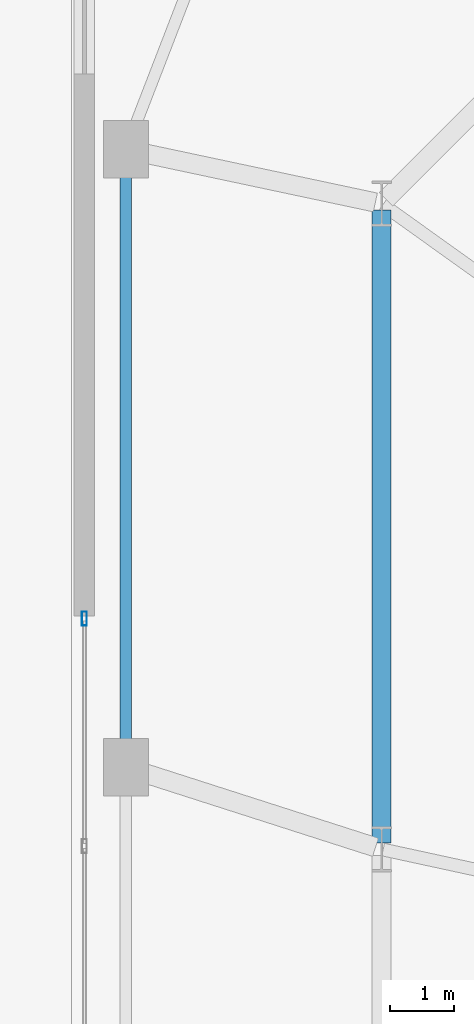
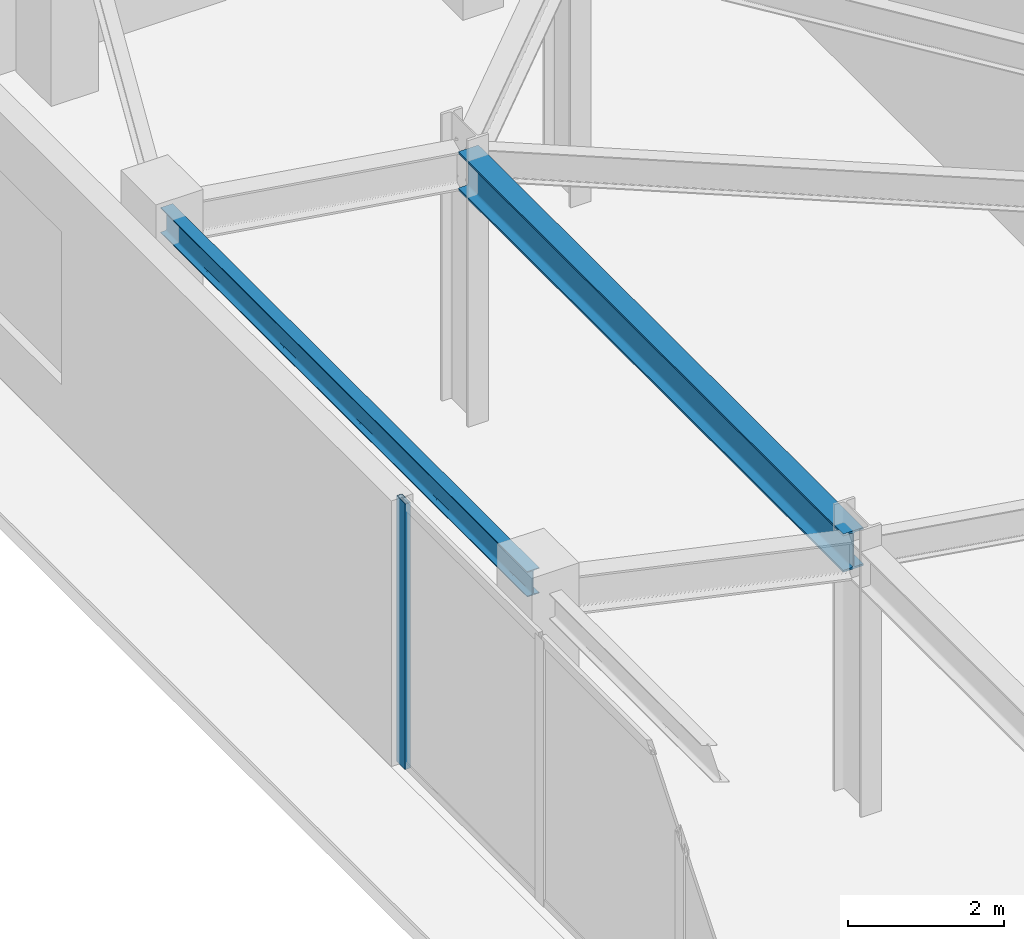
# One storey, part 8 of 21: 2 beams, 1 member, 1 element without a shape of its own.
"""IFC4 building model written with IfcOpenShell, lengths in metres."""

from ifc_helpers import new_model, si_unit, direction, frame, origin, origin_2d, place, context, subcontext, project, spatial, hollow_rectangle, i_section, extrude, material, layer, layer_set, material_profile, profile_set, type_object, element, aggregate, save


model = new_model("IFC4")

# Units and contexts
model_context = context("Model", 3, precision=1e-05, world=origin(), true_north=direction((0.0, 1.0)))
body_context = subcontext(model_context, "Body", "Model", "MODEL_VIEW")
ifc_project = project(units=[si_unit("LENGTHUNIT", "METRE"), si_unit("AREAUNIT", "SQUARE_METRE"), si_unit("VOLUMEUNIT", "CUBIC_METRE"), si_unit("PLANEANGLEUNIT", "RADIAN"), si_unit("MASSUNIT", "GRAM", prefix="KILO")], contexts=[model_context])

# Site, building, storey
site_placement = place(None, origin())
site = spatial("IfcSite", under=ifc_project, at=site_placement, CompositionType="ELEMENT")
building_placement = place(site_placement, origin())
building = spatial("IfcBuilding", under=site, at=building_placement, Name="Qobustan Lattice House", CompositionType="ELEMENT")
storey_placement = place(building_placement, frame((0.0, 0.0, 13.5)))
storey = spatial("IfcBuildingStorey", under=building, at=storey_placement, Name="L03", CompositionType="ELEMENT", Elevation=13.5)

# Beams
ifc_material_1 = material(Name="Steel S355", Category="steel")
ifc_material_profile_1 = material_profile(ifc_material_1, i_section(OverallWidth=0.300048828125, OverallDepth=0.60009765625, WebThickness=0.015380859375, FlangeThickness=0.030029296875, FilletRadius=0.027099609375, at=origin_2d()), Name="HEB600")
ifc_profile_set_1 = profile_set([ifc_material_profile_1], Name="Steel S355")
beam_type_1 = type_object("IfcBeamType", Name="BM-POD-HEB600", PredefinedType="USERDEFINED", material=ifc_profile_set_1)
beam_1_placement = place(storey_placement, frame((-32.14990234375, 15.050048828125, 3.8701171875), z_axis=(0.0, -1.0, 0.0), x_axis=(1.0, 0.0, 0.0)))
element("IfcBeam", 1, at=beam_1_placement, inside=storey, type_object=beam_type_1, Name="L03 tower base ring girder W1-W2", ObjectType="GIRDER", PredefinedType="USERDEFINED", context=body_context, shape_type="SweptSolid", body=[
    extrude(i_section(OverallWidth=0.300048828125, OverallDepth=0.60009765625, WebThickness=0.015380859375, FlangeThickness=0.030029296875, FilletRadius=0.027099609375, at=origin_2d()), origin(), (0.0, 0.0, 1.0), 9.900146484375),
])
ifc_material_2 = material(Name="Steel S355", Category="steel")
ifc_material_profile_2 = material_profile(ifc_material_2, i_section(OverallWidth=0.179931640625, OverallDepth=0.39990234375, WebThickness=0.008544921875, FlangeThickness=0.013427734375, FilletRadius=0.02099609375, at=origin_2d()), Name="IPE400")
ifc_profile_set_2 = profile_set([ifc_material_profile_2], Name="Steel S355")
beam_type_2 = type_object("IfcBeamType", Name="BM-SPD-IPE400", PredefinedType="SPANDREL", material=ifc_profile_set_2)
beam_2_placement = place(storey_placement, frame((-36.14990234375, 6.453369140625, 3.969970703125), z_axis=(0.0, 1.0, 0.0), x_axis=(-1.0, 0.0, 0.0)))
element("IfcBeam", 2, at=beam_2_placement, inside=storey, type_object=beam_type_2, Name="L03 podium spandrel PW3-PW4", PredefinedType="SPANDREL", context=body_context, shape_type="SweptSolid", body=[
    extrude(i_section(OverallWidth=0.179931640625, OverallDepth=0.39990234375, WebThickness=0.008544921875, FlangeThickness=0.013427734375, FilletRadius=0.02099609375, at=origin_2d()), origin(), (0.0, 0.0, 1.0), 9.4267578125),
])

# Curtain wall, member
ifc_material_3 = material(Name="Anodised aluminium and low-E glazing", Category="aluminium")
ifc_layer = layer(ifc_material_3, 0.219970703125)
ifc_layer_set = layer_set([ifc_layer], Name="Anodised aluminium and low-E glazing")
curtain_wall_type = type_object("IfcCurtainWallType", Name="CW-POD-01", PredefinedType="USERDEFINED", material=ifc_layer_set)
curtain_wall_placement = place(storey_placement, origin())
curtain_wall = element("IfcCurtainWall", 3, at=curtain_wall_placement, inside=storey, type_object=curtain_wall_type, Name="L03 W podium colonnade curtain wall", ObjectType="CURTAIN WALL", PredefinedType="USERDEFINED")
ifc_material_4 = material(Name="Anodised aluminium EN AW-6063 T6", Category="aluminium")
ifc_material_profile_3 = material_profile(ifc_material_4, hollow_rectangle(XDim=0.080078125, YDim=0.219970703125, WallThickness=0.0048828125, at=origin_2d()), Name="CWM-220x80")
ifc_profile_set_3 = profile_set([ifc_material_profile_3], Name="Anodised aluminium EN AW-6063 T6")
member_type = type_object("IfcMemberType", Name="CWM-MAIN-220", PredefinedType="MULLION", material=ifc_profile_set_3)
member_placement = place(storey_placement, frame((-36.800048828125, 8.659912109375, 0.0), z_axis=(0.0, 0.0, 1.0), x_axis=(-1.0, 0.0, 0.0)))
member = element("IfcMember", 4, at=member_placement, type_object=member_type, Name="CW-P1 mullion 5", PredefinedType="MULLION", context=body_context, shape_type="SweptSolid", body=[
    extrude(hollow_rectangle(XDim=0.080078125, YDim=0.219970703125, WallThickness=0.0048828125, at=origin_2d()), origin(), (0.0, 0.0, 1.0), 4.169921875),
])
aggregate(curtain_wall, [member])

save(model, "model.ifc")
